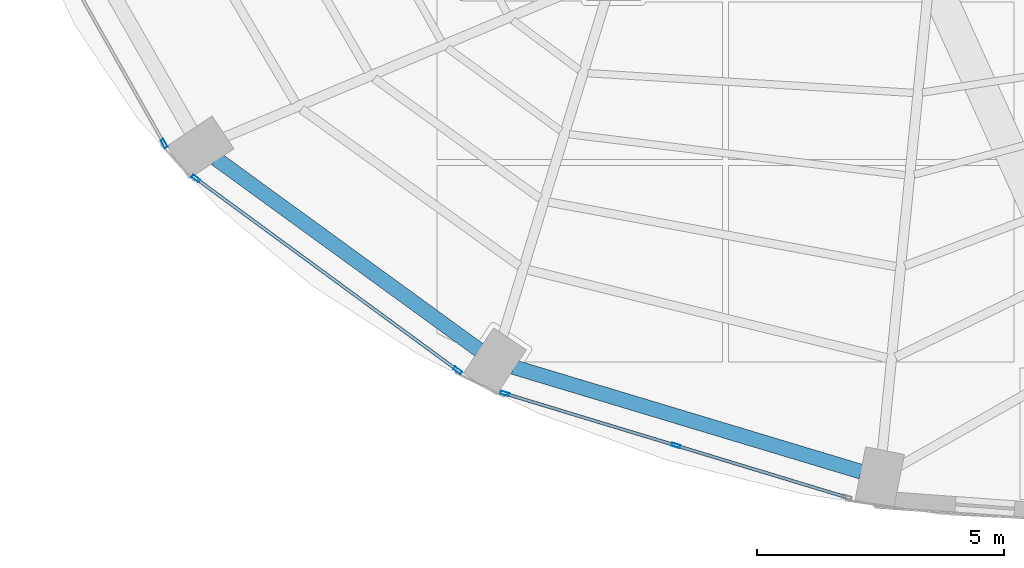
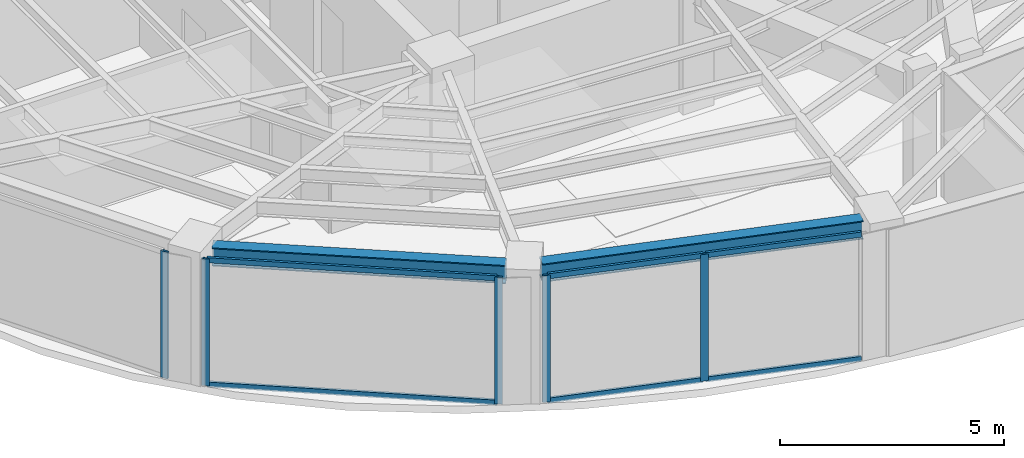
# One storey, part 2 of 23: 11 members, 2 beams, 3 elements without a shape of their own.
"""IFC4 building model written with IfcOpenShell, lengths in metres."""

import ifcopenshell
import ifcopenshell.guid

model = None  # the IFC model being written
_history = None  # IfcOwnerHistory: only IFC2X3 demands one
_inside = {}  # id of a spatial element -> (the spatial element, [elements in it])
_under = {}  # id of a project, library or spatial element -> (it, [spatial elements below it])
_declared = {}  # id of a project -> (the project, [libraries it declares])
_typed = {}  # id of a type object -> (the type object, [elements of that type])
_made_of = {}  # id of a material, layer set ... -> (it, [elements and type objects made of it])


def new_model(schema):
    """Start an empty IFC model of exactly this schema.

    Asked for "IFC4X3", IfcOpenShell would pick the latest addendum, in which some entities
    have other attributes; the version numbers below select the first issue.
    IFC2X3 requires an IfcOwnerHistory on every rooted entity: one is made here for all.
    """
    global model, _history
    if schema == "IFC4X3":
        model = ifcopenshell.file(schema_version=(4, 3, 0, 0))
    else:
        model = ifcopenshell.file(schema=schema)
    _inside.clear()
    _under.clear()
    _declared.clear()
    _typed.clear()
    _made_of.clear()
    _history = None
    if model.schema == "IFC2X3":
        org = make("IfcOrganization", Name="unknown")
        user = make(
            "IfcPersonAndOrganization",
            ThePerson=make("IfcPerson", FamilyName="unknown"),
            TheOrganization=org,
        )
        app = make(
            "IfcApplication",
            ApplicationDeveloper=org,
            Version="unknown",
            ApplicationFullName="unknown",
            ApplicationIdentifier="unknown",
        )
        _history = make(
            "IfcOwnerHistory",
            OwningUser=user,
            OwningApplication=app,
            ChangeAction="ADDED",
            CreationDate=0,
        )
    return model


def make(cls, **values):
    """One entity of the class cls with the attributes given. An attribute that is None is left unset."""
    return model.create_entity(
        cls, **{name: value for name, value in values.items() if value is not None}
    )


def rooted(cls, **values):
    """An entity with a GlobalId (a new one), such as an element, a storey or a relation."""
    return make(cls, GlobalId=ifcopenshell.guid.new(), OwnerHistory=_history, **values)


def si_unit(unit_type, name, prefix=None):
    """IfcSIUnit, for example si_unit("LENGTHUNIT", "METRE", prefix="MILLI")."""
    return make("IfcSIUnit", UnitType=unit_type, Prefix=prefix, Name=name)


def assignment(units):
    """IfcUnitAssignment: the units of a project."""
    return None if units is None else make("IfcUnitAssignment", Units=units)


def point(xyz):
    """IfcCartesianPoint."""
    return None if xyz is None else make("IfcCartesianPoint", Coordinates=xyz)


def direction(xyz):
    """IfcDirection."""
    return None if xyz is None else make("IfcDirection", DirectionRatios=xyz)


def frame(location, z_axis=None, x_axis=None):
    """IfcAxis2Placement3D, a coordinate frame: its origin and axes. An axis left out is left unset."""
    return make(
        "IfcAxis2Placement3D",
        Location=point(location),
        Axis=direction(z_axis),
        RefDirection=direction(x_axis),
    )


def frame_2d(location, x_axis=None):
    """IfcAxis2Placement2D, a coordinate frame in the plane: its origin and x axis."""
    return make(
        "IfcAxis2Placement2D", Location=point(location), RefDirection=direction(x_axis)
    )


def origin():
    """The frame at (0, 0, 0) with its axes left unset."""
    return frame((0.0, 0.0, 0.0))


def origin_2d():
    """The frame at (0, 0) in the plane with its x axis left unset."""
    return frame_2d((0.0, 0.0))


def place(relative_to, where):
    """IfcLocalPlacement: puts the frame where relative to a parent placement (None: the world)."""
    return make(
        "IfcLocalPlacement", PlacementRelTo=relative_to, RelativePlacement=where
    )


def context(
    kind, dimensions, precision=None, world=None, true_north=None, identifier=None
):
    """IfcGeometricRepresentationContext, for example the 3D "Model" context."""
    return make(
        "IfcGeometricRepresentationContext",
        ContextIdentifier=identifier,
        ContextType=kind,
        CoordinateSpaceDimension=dimensions,
        Precision=precision,
        WorldCoordinateSystem=world,
        TrueNorth=true_north,
    )


def subcontext(parent, identifier, kind, view, scale=None):
    """IfcGeometricRepresentationSubContext, for example "Body" below "Model"."""
    return make(
        "IfcGeometricRepresentationSubContext",
        ContextIdentifier=identifier,
        ContextType=kind,
        ParentContext=parent,
        TargetScale=scale,
        TargetView=view,
    )


def project(units=None, contexts=None):
    """IfcProject with its units and contexts."""
    return rooted(
        "IfcProject",
        Name="project",
        RepresentationContexts=contexts,
        UnitsInContext=assignment(units),
    )


def spatial(cls, under=None, at=None, **own):
    """A site, building, storey or space (cls), placed at a placement, below another one or the project."""
    s = rooted(cls, ObjectPlacement=at, **own)
    if under is not None:
        _under.setdefault(under.id(), (under, []))[1].append(s)
    return s


def profile(cls, at=None, kind="AREA", **sizes):
    """A parametric profile (cls). Its sizes go by their IFC names, for example OverallWidth=200.0."""
    return make(cls, ProfileType=kind, Position=at, **sizes)


def hollow_rectangle(**sizes):
    """IfcRectangleHollowProfileDef."""
    return profile("IfcRectangleHollowProfileDef", **sizes)


def i_section(**sizes):
    """IfcIShapeProfileDef."""
    return profile("IfcIShapeProfileDef", **sizes)


def extrude(swept, where, along, depth):
    """IfcExtrudedAreaSolid: the profile swept, set in the frame where, extruded along a direction by depth."""
    return make(
        "IfcExtrudedAreaSolid",
        SweptArea=swept,
        Position=where,
        ExtrudedDirection=direction(along),
        Depth=depth,
    )


def shape(context_of_items, identifier, shape_type, items):
    """IfcShapeRepresentation: the items that make up one representation, for example the "Body"."""
    return make(
        "IfcShapeRepresentation",
        ContextOfItems=context_of_items,
        RepresentationIdentifier=identifier,
        RepresentationType=shape_type,
        Items=items,
    )


def material(Name=None, Category=None):
    """IfcMaterial."""
    return make("IfcMaterial", Name=Name, Category=Category)


def layer(
    of_material, thickness, ventilated=None, Name=None, Category=None, Priority=None
):
    """IfcMaterialLayer: one layer of a wall or slab, of a material (None: an air gap)."""
    return make(
        "IfcMaterialLayer",
        Material=of_material,
        LayerThickness=thickness,
        IsVentilated=ventilated,
        Name=Name,
        Category=Category,
        Priority=Priority,
    )


def layer_set(layers, Name=None):
    """IfcMaterialLayerSet."""
    return make("IfcMaterialLayerSet", MaterialLayers=layers, LayerSetName=Name)


def material_profile(
    of_material, cross_section, Name=None, Category=None, Priority=None
):
    """IfcMaterialProfile: a cross section and its material."""
    return make(
        "IfcMaterialProfile",
        Name=Name,
        Material=of_material,
        Profile=cross_section,
        Priority=Priority,
        Category=Category,
    )


def profile_set(profiles, Name=None, composite=None):
    """IfcMaterialProfileSet."""
    return make(
        "IfcMaterialProfileSet",
        Name=Name,
        MaterialProfiles=profiles,
        CompositeProfile=composite,
    )


def made_of(thing, what):
    """Note that an element or type object is made of a material, layer set ...; save() writes the relation."""
    if what is not None:
        _made_of.setdefault(what.id(), (what, []))[1].append(thing)
    return thing


def type_object(cls, material=None, **own):
    """A type object (cls), such as IfcWallType, which elements share."""
    return made_of(rooted(cls, **own), material)


def element(
    cls,
    number,
    at=None,
    inside=None,
    cuts=None,
    type_object=None,
    material=None,
    context=None,
    identifier="Body",
    shape_type=None,
    held_by="IfcProductDefinitionShape",
    body=None,
    shapes=None,
    **own,
):
    """One element of the class cls, such as IfcWall. Its Tag is "e" and its number.

    at: its placement. inside: the storey or other place that contains it. cuts: it is an
    opening in that element (IfcRelVoidsElement). A single representation is given by context,
    identifier, shape_type and body (its items); several are given by shapes. held_by: the class
    of the entity that holds the representations. save() writes the other relations.
    """
    e = rooted(cls, Tag="e%d" % number, ObjectPlacement=at, **own)
    if body is not None:
        shapes = [shape(context, identifier, shape_type, body)]
    if shapes is not None:
        e.Representation = make(held_by, Representations=shapes)
    if inside is not None:
        _inside.setdefault(inside.id(), (inside, []))[1].append(e)
    if cuts is not None:
        rooted(
            "IfcRelVoidsElement", RelatingBuildingElement=cuts, RelatedOpeningElement=e
        )
    if type_object is not None:
        _typed.setdefault(type_object.id(), (type_object, []))[1].append(e)
    return made_of(e, material)


def aggregate(whole, parts):
    """IfcRelAggregates: a whole, such as a stair, and the parts it consists of."""
    return rooted("IfcRelAggregates", RelatingObject=whole, RelatedObjects=parts)


def save(model, path):
    """Write the relations noted so far, then the file.

    IfcRelAggregates (storeys below a building ...), IfcRelContainedInSpatialStructure (elements
    in a storey), IfcRelDefinesByType, IfcRelAssociatesMaterial and IfcRelDeclares: one each for
    every whole, place, type object, material and project.
    """
    for whole, parts in _under.values():
        aggregate(whole, parts)
    for where, things in _inside.values():
        rooted(
            "IfcRelContainedInSpatialStructure",
            RelatedElements=things,
            RelatingStructure=where,
        )
    for kind, things in _typed.values():
        rooted("IfcRelDefinesByType", RelatedObjects=things, RelatingType=kind)
    for what, things in _made_of.values():
        rooted("IfcRelAssociatesMaterial", RelatedObjects=things, RelatingMaterial=what)
    for by, libraries in _declared.values():
        rooted("IfcRelDeclares", RelatingContext=by, RelatedDefinitions=libraries)
    model.write(path)


model = new_model("IFC4")

# Units and contexts
model_context = context("Model", 3, precision=1e-05, world=origin(), true_north=direction((0.0, 1.0)))
body_context = subcontext(model_context, "Body", "Model", "MODEL_VIEW")
ifc_project = project(units=[si_unit("LENGTHUNIT", "METRE"), si_unit("AREAUNIT", "SQUARE_METRE"), si_unit("VOLUMEUNIT", "CUBIC_METRE"), si_unit("PLANEANGLEUNIT", "RADIAN"), si_unit("MASSUNIT", "GRAM", prefix="KILO")], contexts=[model_context])

# Site, building, storey
site_placement = place(None, origin())
site = spatial("IfcSite", under=ifc_project, at=site_placement, CompositionType="ELEMENT")
building_placement = place(site_placement, origin())
building = spatial("IfcBuilding", under=site, at=building_placement, Name="Lazwardi Medical Tower", CompositionType="ELEMENT")
storey_placement = place(building_placement, frame((0.0, 0.0, 234.9599609375)))
storey = spatial("IfcBuildingStorey", under=building, at=storey_placement, Name="L61", CompositionType="ELEMENT", Elevation=234.9599609375)

# Beams
ifc_material_1 = material(Name="Steel S355", Category="steel")
ifc_material_profile_1 = material_profile(ifc_material_1, i_section(OverallWidth=0.300048828125, OverallDepth=0.5, WebThickness=0.014404296875, FlangeThickness=0.028076171875, at=origin_2d()), Name="HEB 500")
ifc_profile_set_1 = profile_set([ifc_material_profile_1], Name="Steel S355")
beam_type = type_object("IfcBeamType", Name="BM-RB-Z4", PredefinedType="BEAM", material=ifc_profile_set_1)
beam_1_placement = place(storey_placement, frame((18.355712890625, 16.648193359375, 3.197998046875), z_axis=(0.808889916254, -0.587960120571, 0.0), x_axis=(0.587960120571, 0.808889916254, 0.0)))
element("IfcBeam", 1, at=beam_1_placement, inside=storey, type_object=beam_type, Name="Ring beam RB-05 B14 L61", PredefinedType="BEAM", context=body_context, shape_type="SweptSolid", body=[
    extrude(i_section(OverallWidth=0.300048828125, OverallDepth=0.5, WebThickness=0.014404296875, FlangeThickness=0.028076171875, at=origin_2d()), origin(), (0.0, 0.0, 1.0), 6.587158203125),
])
beam_2_placement = place(storey_placement, frame((24.373046875, 12.43359375, 3.197998046875), z_axis=(0.957544311906, -0.288286126506, 0.0), x_axis=(0.288286126506, 0.957544311906, 0.0)))
element("IfcBeam", 2, at=beam_2_placement, inside=storey, type_object=beam_type, Name="Ring beam RB-05 B15 L61", PredefinedType="BEAM", context=body_context, shape_type="SweptSolid", body=[
    extrude(i_section(OverallWidth=0.300048828125, OverallDepth=0.5, WebThickness=0.014404296875, FlangeThickness=0.028076171875, at=origin_2d()), origin(), (0.0, 0.0, 1.0), 7.3515625),
])

# Curtain wall, member
ifc_material_2 = material(Name="Anodised bronze aluminium and solar control glazing", Category="aluminium")
ifc_layer = layer(ifc_material_2, 0.18994140625)
ifc_layer_set = layer_set([ifc_layer], Name="Anodised bronze aluminium and solar control glazing")
curtain_wall_type = type_object("IfcCurtainWallType", Name="CW-SYS-04", PredefinedType="NOTDEFINED", material=ifc_layer_set)
curtain_wall_1_placement = place(storey_placement, origin())
curtain_wall_1 = element("IfcCurtainWall", 3, at=curtain_wall_1_placement, inside=storey, type_object=curtain_wall_type, Name="L61 Unitised bronze curtain wall CW-04", PredefinedType="NOTDEFINED")
ifc_material_3 = material(Name="Anodised bronze aluminium", Category="aluminium")
ifc_material_profile_2 = material_profile(ifc_material_3, hollow_rectangle(XDim=0.06494140625, YDim=0.179931640625, WallThickness=0.00390625, at=origin_2d()), Name="ALU-MULLION 180x65x4")
ifc_profile_set_2 = profile_set([ifc_material_profile_2], Name="Anodised bronze aluminium")
member_type_1 = type_object("IfcMemberType", Name="CW-MUL-03", PredefinedType="MULLION", material=ifc_profile_set_2)
member_1_placement = place(storey_placement, frame((17.3056640625, 16.95458984375, 0.0), z_axis=(0.0, 0.0, 1.0), x_axis=(0.870651436011, 0.491900474661, 0.0)))
member_1 = element("IfcMember", 4, at=member_1_placement, type_object=member_type_1, Name="CW-04 mullion 2", PredefinedType="MULLION", context=body_context, shape_type="SweptSolid", body=[
    extrude(hollow_rectangle(XDim=0.06494140625, YDim=0.179931640625, WallThickness=0.00390625, at=origin_2d()), origin(), (0.0, 0.0, 1.0), 3.447998046875),
])
aggregate(curtain_wall_1, [member_1])

# Curtain wall, members
curtain_wall_2_placement = place(storey_placement, origin())
curtain_wall_2 = element("IfcCurtainWall", 5, at=curtain_wall_2_placement, inside=storey, type_object=curtain_wall_type, Name="L61 Unitised bronze curtain wall CW-04", PredefinedType="NOTDEFINED")
member_2_placement = place(storey_placement, frame((17.947998046875, 16.248291015625, 0.0), z_axis=(0.0, 0.0, 1.0), x_axis=(0.591268230971, 0.806474971121, 0.0)))
member_2 = element("IfcMember", 6, at=member_2_placement, type_object=member_type_1, Name="CW-04 mullion 1", PredefinedType="MULLION", context=body_context, shape_type="SweptSolid", body=[
    extrude(hollow_rectangle(XDim=0.06494140625, YDim=0.179931640625, WallThickness=0.00390625, at=origin_2d()), origin(), (0.0, 0.0, 1.0), 3.447998046875),
])
member_3_placement = place(storey_placement, frame((23.24462890625, 12.365234375, 0.0), z_axis=(0.0, 0.0, 1.0), x_axis=(0.591268230971, 0.806474971121, 0.0)))
member_3 = element("IfcMember", 7, at=member_3_placement, type_object=member_type_1, Name="CW-04 mullion 2", PredefinedType="MULLION", context=body_context, shape_type="SweptSolid", body=[
    extrude(hollow_rectangle(XDim=0.06494140625, YDim=0.179931640625, WallThickness=0.00390625, at=origin_2d()), origin(), (0.0, 0.0, 1.0), 3.447998046875),
])

curtain_wall_3_placement = place(storey_placement, origin())
curtain_wall_3 = element("IfcCurtainWall", 8, at=curtain_wall_3_placement, inside=storey, type_object=curtain_wall_type, Name="L61 Unitised bronze curtain wall CW-04", PredefinedType="NOTDEFINED")
member_4_placement = place(storey_placement, frame((24.2001953125, 11.896484375, 0.0), z_axis=(0.0, 0.0, 1.0), x_axis=(0.290581889515, 0.956850126972, 0.0)))
member_4 = element("IfcMember", 9, at=member_4_placement, type_object=member_type_1, Name="CW-04 mullion 1", PredefinedType="MULLION", context=body_context, shape_type="SweptSolid", body=[
    extrude(hollow_rectangle(XDim=0.06494140625, YDim=0.179931640625, WallThickness=0.00390625, at=origin_2d()), origin(), (0.0, 0.0, 1.0), 3.447998046875),
])
member_5_placement = place(storey_placement, frame((27.66357421875, 10.8447265625, 0.0), z_axis=(0.0, 0.0, 1.0), x_axis=(0.290581889515, 0.956850126972, 0.0)))
member_5 = element("IfcMember", 10, at=member_5_placement, type_object=member_type_1, Name="CW-04 mullion 2", PredefinedType="MULLION", context=body_context, shape_type="SweptSolid", body=[
    extrude(hollow_rectangle(XDim=0.06494140625, YDim=0.179931640625, WallThickness=0.00390625, at=origin_2d()), origin(), (0.0, 0.0, 1.0), 3.447998046875),
])

# Member
ifc_material_profile_3 = material_profile(ifc_material_3, hollow_rectangle(XDim=0.06494140625, YDim=0.139892578125, WallThickness=0.00341796875, at=origin_2d()), Name="ALU-TRANSOM 140x65x3.5")
ifc_profile_set_3 = profile_set([ifc_material_profile_3], Name="Anodised bronze aluminium")
member_type_2 = type_object("IfcMemberType", Name="CW-TRN-03", PredefinedType="USERDEFINED", material=ifc_profile_set_3)
member_6_placement = place(storey_placement, frame((17.97412109375, 16.229248046875, 0.032470703125), z_axis=(0.806471831148, -0.591272513791, 0.0), x_axis=(0.591272513791, 0.806471831148, 0.0)))
member_6 = element("IfcMember", 11, at=member_6_placement, type_object=member_type_2, Name="CW-04 transom 1.1", ObjectType="TRANSOM", PredefinedType="USERDEFINED", context=body_context, shape_type="SweptSolid", body=[
    extrude(hollow_rectangle(XDim=0.06494140625, YDim=0.139892578125, WallThickness=0.00341796875, at=origin_2d()), origin(), (0.0, 0.0, 1.0), 6.5029296875),
])

member_7_placement = place(storey_placement, frame((17.97412109375, 16.229248046875, 3.41552734375), z_axis=(0.806471831148, -0.591272513791, 0.0), x_axis=(0.591272513791, 0.806471831148, 0.0)))
member_7 = element("IfcMember", 12, at=member_7_placement, type_object=member_type_2, Name="CW-04 transom 1.2", ObjectType="TRANSOM", PredefinedType="USERDEFINED", context=body_context, shape_type="SweptSolid", body=[
    extrude(hollow_rectangle(XDim=0.06494140625, YDim=0.139892578125, WallThickness=0.00341796875, at=origin_2d()), origin(), (0.0, 0.0, 1.0), 6.5029296875),
])

aggregate(curtain_wall_2, [member_2, member_3, member_6, member_7])

member_8_placement = place(storey_placement, frame((24.2314453125, 11.886962890625, 0.032470703125), z_axis=(0.956862505902, -0.290541124109, 0.0), x_axis=(0.290541124109, 0.956862505902, 0.0)))
member_8 = element("IfcMember", 13, at=member_8_placement, type_object=member_type_2, Name="CW-04 transom 1.1", ObjectType="TRANSOM", PredefinedType="USERDEFINED", context=body_context, shape_type="SweptSolid", body=[
    extrude(hollow_rectangle(XDim=0.06494140625, YDim=0.139892578125, WallThickness=0.00341796875, at=origin_2d()), origin(), (0.0, 0.0, 1.0), 3.554443359375),
])

member_9_placement = place(storey_placement, frame((24.2314453125, 11.886962890625, 3.41552734375), z_axis=(0.956862505902, -0.290541124109, 0.0), x_axis=(0.290541124109, 0.956862505902, 0.0)))
member_9 = element("IfcMember", 14, at=member_9_placement, type_object=member_type_2, Name="CW-04 transom 1.2", ObjectType="TRANSOM", PredefinedType="USERDEFINED", context=body_context, shape_type="SweptSolid", body=[
    extrude(hollow_rectangle(XDim=0.06494140625, YDim=0.139892578125, WallThickness=0.00341796875, at=origin_2d()), origin(), (0.0, 0.0, 1.0), 3.554443359375),
])

member_10_placement = place(storey_placement, frame((27.694580078125, 10.835205078125, 0.032470703125), z_axis=(0.956862505902, -0.290541124109, 0.0), x_axis=(0.290541124109, 0.956862505902, 0.0)))
member_10 = element("IfcMember", 15, at=member_10_placement, type_object=member_type_2, Name="CW-04 transom 2.1", ObjectType="TRANSOM", PredefinedType="USERDEFINED", context=body_context, shape_type="SweptSolid", body=[
    extrude(hollow_rectangle(XDim=0.06494140625, YDim=0.139892578125, WallThickness=0.00341796875, at=origin_2d()), origin(), (0.0, 0.0, 1.0), 3.554443359375),
])

member_11_placement = place(storey_placement, frame((27.694580078125, 10.835205078125, 3.41552734375), z_axis=(0.956862505902, -0.290541124109, 0.0), x_axis=(0.290541124109, 0.956862505902, 0.0)))
member_11 = element("IfcMember", 16, at=member_11_placement, type_object=member_type_2, Name="CW-04 transom 2.2", ObjectType="TRANSOM", PredefinedType="USERDEFINED", context=body_context, shape_type="SweptSolid", body=[
    extrude(hollow_rectangle(XDim=0.06494140625, YDim=0.139892578125, WallThickness=0.00341796875, at=origin_2d()), origin(), (0.0, 0.0, 1.0), 3.554443359375),
])

aggregate(curtain_wall_3, [member_4, member_5, member_8, member_9, member_10, member_11])

save(model, "model.ifc")
